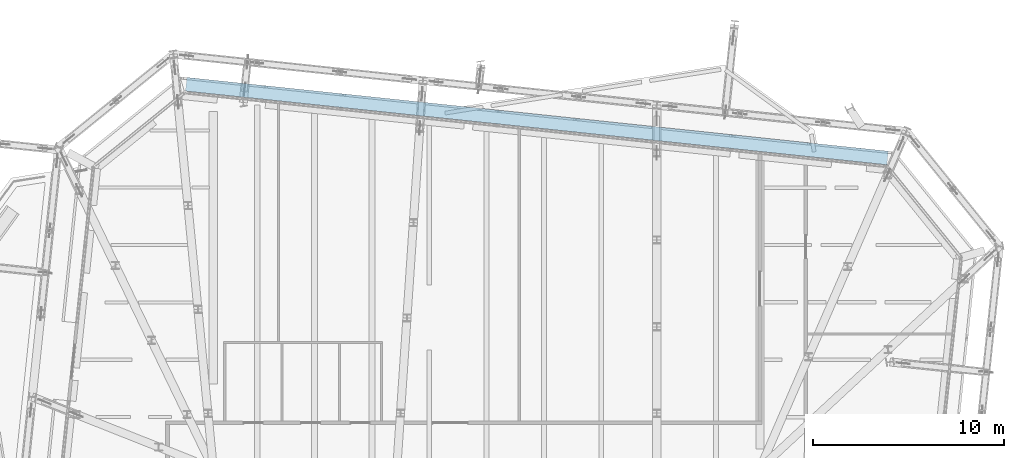
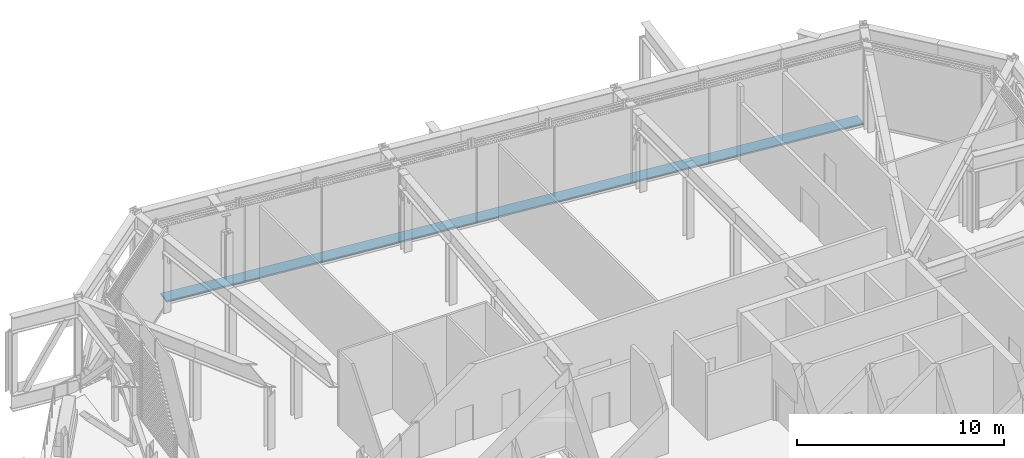
# One storey, part 29 of 36: 1 discrete accessory.
"""IFC4 building model written with IfcOpenShell, lengths in metres."""

from ifc_helpers import new_model, si_unit, direction, frame, origin, origin_2d, place, context, subcontext, project, spatial, rectangle, extrude, material, type_object, element, save


model = new_model("IFC4")

# Units and contexts
model_context = context("Model", 3, precision=1e-05, world=origin(), true_north=direction((0.0, 1.0)))
body_context = subcontext(model_context, "Body", "Model", "MODEL_VIEW")
ifc_project = project(units=[si_unit("LENGTHUNIT", "METRE"), si_unit("AREAUNIT", "SQUARE_METRE"), si_unit("VOLUMEUNIT", "CUBIC_METRE"), si_unit("PLANEANGLEUNIT", "RADIAN"), si_unit("MASSUNIT", "GRAM", prefix="KILO")], contexts=[model_context])

# Site, building, storey
site_placement = place(None, origin())
site = spatial("IfcSite", under=ifc_project, at=site_placement, CompositionType="ELEMENT")
building_placement = place(site_placement, origin())
building = spatial("IfcBuilding", under=site, at=building_placement, Name="Millrace Tower", CompositionType="ELEMENT")
storey_placement = place(building_placement, frame((0.0, 0.0, 271.39990234375)))
storey = spatial("IfcBuildingStorey", under=building, at=storey_placement, Name="L62", CompositionType="ELEMENT", Elevation=271.39990234375)

# Discrete accessory
ifc_material = material(Name="Stainless steel ASTM A240 type 316", Category="steel")
discrete_accessory_type = type_object("IfcDiscreteAccessoryType", Name="Thermally broken screen support rail", PredefinedType="BRACKET", material=ifc_material)
discrete_accessory_placement = place(storey_placement, frame((2.63134765625, 27.482666015625, 0.0), z_axis=(0.0, 0.0, 1.0), x_axis=(-0.994521896217, 0.104528455196, 0.0)))
element("IfcDiscreteAccessory", 1, at=discrete_accessory_placement, inside=storey, type_object=discrete_accessory_type, Name="Thermally broken screen support rail E-F06 L62 1", PredefinedType="BRACKET", context=body_context, shape_type="SweptSolid", body=[
    extrude(rectangle(XDim=36.89990234375, YDim=0.719970703125, at=origin_2d()), origin(), (0.0, 0.0, 1.0), 0.10009765625),
])

save(model, "model.ifc")
